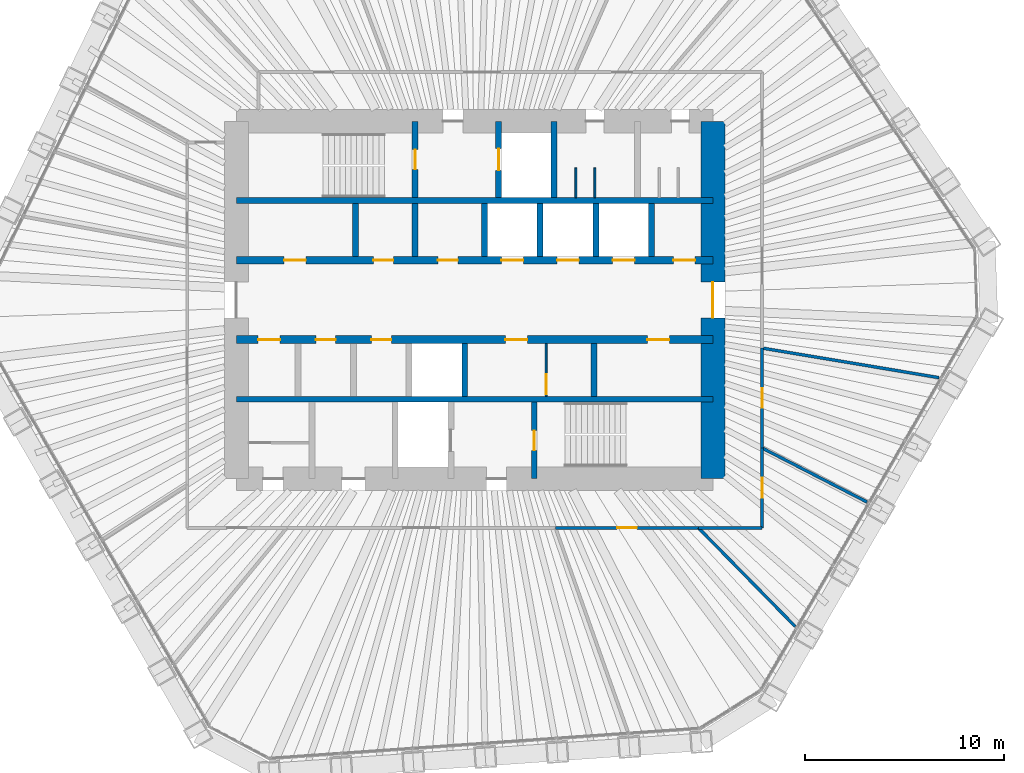
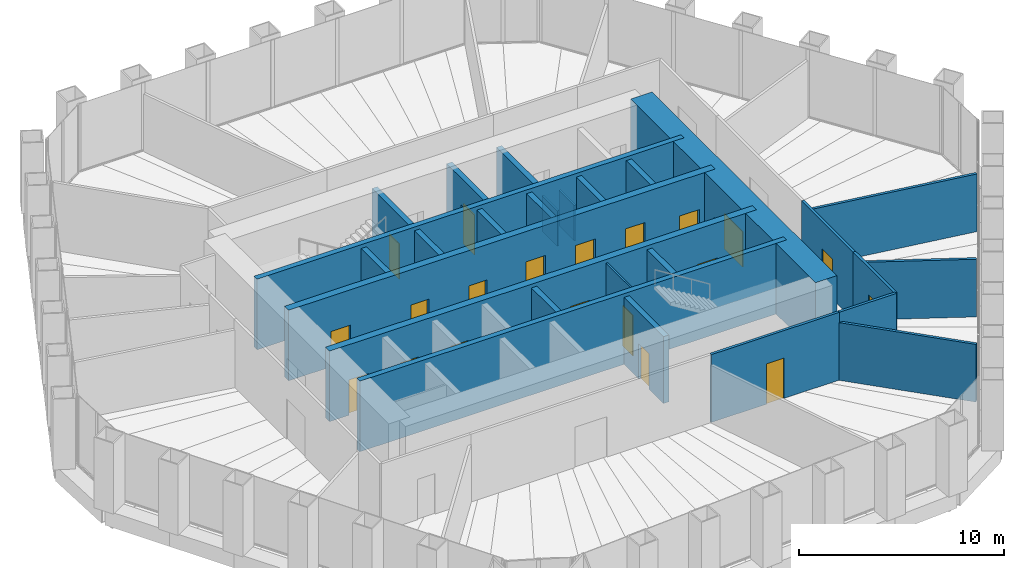
# One storey, part 11 of 13: 27 walls, 20 doors, 20 openings.
"""IFC4 building model written with IfcOpenShell, lengths in metres."""

import ifcopenshell
import ifcopenshell.guid

model = None  # the IFC model being written
_history = None  # IfcOwnerHistory: only IFC2X3 demands one
_inside = {}  # id of a spatial element -> (the spatial element, [elements in it])
_under = {}  # id of a project, library or spatial element -> (it, [spatial elements below it])
_declared = {}  # id of a project -> (the project, [libraries it declares])
_typed = {}  # id of a type object -> (the type object, [elements of that type])
_made_of = {}  # id of a material, layer set ... -> (it, [elements and type objects made of it])


def new_model(schema):
    """Start an empty IFC model of exactly this schema.

    Asked for "IFC4X3", IfcOpenShell would pick the latest addendum, in which some entities
    have other attributes; the version numbers below select the first issue.
    IFC2X3 requires an IfcOwnerHistory on every rooted entity: one is made here for all.
    """
    global model, _history
    if schema == "IFC4X3":
        model = ifcopenshell.file(schema_version=(4, 3, 0, 0))
    else:
        model = ifcopenshell.file(schema=schema)
    _inside.clear()
    _under.clear()
    _declared.clear()
    _typed.clear()
    _made_of.clear()
    _history = None
    if model.schema == "IFC2X3":
        org = make("IfcOrganization", Name="unknown")
        user = make(
            "IfcPersonAndOrganization",
            ThePerson=make("IfcPerson", FamilyName="unknown"),
            TheOrganization=org,
        )
        app = make(
            "IfcApplication",
            ApplicationDeveloper=org,
            Version="unknown",
            ApplicationFullName="unknown",
            ApplicationIdentifier="unknown",
        )
        _history = make(
            "IfcOwnerHistory",
            OwningUser=user,
            OwningApplication=app,
            ChangeAction="ADDED",
            CreationDate=0,
        )
    return model


def make(cls, **values):
    """One entity of the class cls with the attributes given. An attribute that is None is left unset."""
    return model.create_entity(
        cls, **{name: value for name, value in values.items() if value is not None}
    )


def rooted(cls, **values):
    """An entity with a GlobalId (a new one), such as an element, a storey or a relation."""
    return make(cls, GlobalId=ifcopenshell.guid.new(), OwnerHistory=_history, **values)


def si_unit(unit_type, name, prefix=None):
    """IfcSIUnit, for example si_unit("LENGTHUNIT", "METRE", prefix="MILLI")."""
    return make("IfcSIUnit", UnitType=unit_type, Prefix=prefix, Name=name)


def assignment(units):
    """IfcUnitAssignment: the units of a project."""
    return None if units is None else make("IfcUnitAssignment", Units=units)


def point(xyz):
    """IfcCartesianPoint."""
    return None if xyz is None else make("IfcCartesianPoint", Coordinates=xyz)


def direction(xyz):
    """IfcDirection."""
    return None if xyz is None else make("IfcDirection", DirectionRatios=xyz)


def frame(location, z_axis=None, x_axis=None):
    """IfcAxis2Placement3D, a coordinate frame: its origin and axes. An axis left out is left unset."""
    return make(
        "IfcAxis2Placement3D",
        Location=point(location),
        Axis=direction(z_axis),
        RefDirection=direction(x_axis),
    )


def frame_2d(location, x_axis=None):
    """IfcAxis2Placement2D, a coordinate frame in the plane: its origin and x axis."""
    return make(
        "IfcAxis2Placement2D", Location=point(location), RefDirection=direction(x_axis)
    )


def origin():
    """The frame at (0, 0, 0) with its axes left unset."""
    return frame((0.0, 0.0, 0.0))


def place(relative_to, where):
    """IfcLocalPlacement: puts the frame where relative to a parent placement (None: the world)."""
    return make(
        "IfcLocalPlacement", PlacementRelTo=relative_to, RelativePlacement=where
    )


def context(
    kind, dimensions, precision=None, world=None, true_north=None, identifier=None
):
    """IfcGeometricRepresentationContext, for example the 3D "Model" context."""
    return make(
        "IfcGeometricRepresentationContext",
        ContextIdentifier=identifier,
        ContextType=kind,
        CoordinateSpaceDimension=dimensions,
        Precision=precision,
        WorldCoordinateSystem=world,
        TrueNorth=true_north,
    )


def subcontext(parent, identifier, kind, view, scale=None):
    """IfcGeometricRepresentationSubContext, for example "Body" below "Model"."""
    return make(
        "IfcGeometricRepresentationSubContext",
        ContextIdentifier=identifier,
        ContextType=kind,
        ParentContext=parent,
        TargetScale=scale,
        TargetView=view,
    )


def project(units=None, contexts=None):
    """IfcProject with its units and contexts."""
    return rooted(
        "IfcProject",
        Name="project",
        RepresentationContexts=contexts,
        UnitsInContext=assignment(units),
    )


def spatial(cls, under=None, at=None, **own):
    """A site, building, storey or space (cls), placed at a placement, below another one or the project."""
    s = rooted(cls, ObjectPlacement=at, **own)
    if under is not None:
        _under.setdefault(under.id(), (under, []))[1].append(s)
    return s


def profile(cls, at=None, kind="AREA", **sizes):
    """A parametric profile (cls). Its sizes go by their IFC names, for example OverallWidth=200.0."""
    return make(cls, ProfileType=kind, Position=at, **sizes)


def rectangle(**sizes):
    """IfcRectangleProfileDef."""
    return profile("IfcRectangleProfileDef", **sizes)


def extrude(swept, where, along, depth):
    """IfcExtrudedAreaSolid: the profile swept, set in the frame where, extruded along a direction by depth."""
    return make(
        "IfcExtrudedAreaSolid",
        SweptArea=swept,
        Position=where,
        ExtrudedDirection=direction(along),
        Depth=depth,
    )


def shape(context_of_items, identifier, shape_type, items):
    """IfcShapeRepresentation: the items that make up one representation, for example the "Body"."""
    return make(
        "IfcShapeRepresentation",
        ContextOfItems=context_of_items,
        RepresentationIdentifier=identifier,
        RepresentationType=shape_type,
        Items=items,
    )


def material(Name=None, Category=None):
    """IfcMaterial."""
    return make("IfcMaterial", Name=Name, Category=Category)


def layer(
    of_material, thickness, ventilated=None, Name=None, Category=None, Priority=None
):
    """IfcMaterialLayer: one layer of a wall or slab, of a material (None: an air gap)."""
    return make(
        "IfcMaterialLayer",
        Material=of_material,
        LayerThickness=thickness,
        IsVentilated=ventilated,
        Name=Name,
        Category=Category,
        Priority=Priority,
    )


def layer_set(layers, Name=None):
    """IfcMaterialLayerSet."""
    return make("IfcMaterialLayerSet", MaterialLayers=layers, LayerSetName=Name)


def made_of(thing, what):
    """Note that an element or type object is made of a material, layer set ...; save() writes the relation."""
    if what is not None:
        _made_of.setdefault(what.id(), (what, []))[1].append(thing)
    return thing


def type_object(cls, material=None, **own):
    """A type object (cls), such as IfcWallType, which elements share."""
    return made_of(rooted(cls, **own), material)


def element(
    cls,
    number,
    at=None,
    inside=None,
    cuts=None,
    type_object=None,
    material=None,
    context=None,
    identifier="Body",
    shape_type=None,
    held_by="IfcProductDefinitionShape",
    body=None,
    shapes=None,
    **own,
):
    """One element of the class cls, such as IfcWall. Its Tag is "e" and its number.

    at: its placement. inside: the storey or other place that contains it. cuts: it is an
    opening in that element (IfcRelVoidsElement). A single representation is given by context,
    identifier, shape_type and body (its items); several are given by shapes. held_by: the class
    of the entity that holds the representations. save() writes the other relations.
    """
    e = rooted(cls, Tag="e%d" % number, ObjectPlacement=at, **own)
    if body is not None:
        shapes = [shape(context, identifier, shape_type, body)]
    if shapes is not None:
        e.Representation = make(held_by, Representations=shapes)
    if inside is not None:
        _inside.setdefault(inside.id(), (inside, []))[1].append(e)
    if cuts is not None:
        rooted(
            "IfcRelVoidsElement", RelatingBuildingElement=cuts, RelatedOpeningElement=e
        )
    if type_object is not None:
        _typed.setdefault(type_object.id(), (type_object, []))[1].append(e)
    return made_of(e, material)


def fill(opening, filler):
    """IfcRelFillsElement: the door or window that sits in an opening."""
    return rooted(
        "IfcRelFillsElement",
        RelatingOpeningElement=opening,
        RelatedBuildingElement=filler,
    )


def aggregate(whole, parts):
    """IfcRelAggregates: a whole, such as a stair, and the parts it consists of."""
    return rooted("IfcRelAggregates", RelatingObject=whole, RelatedObjects=parts)


def save(model, path):
    """Write the relations noted so far, then the file.

    IfcRelAggregates (storeys below a building ...), IfcRelContainedInSpatialStructure (elements
    in a storey), IfcRelDefinesByType, IfcRelAssociatesMaterial and IfcRelDeclares: one each for
    every whole, place, type object, material and project.
    """
    for whole, parts in _under.values():
        aggregate(whole, parts)
    for where, things in _inside.values():
        rooted(
            "IfcRelContainedInSpatialStructure",
            RelatedElements=things,
            RelatingStructure=where,
        )
    for kind, things in _typed.values():
        rooted("IfcRelDefinesByType", RelatedObjects=things, RelatingType=kind)
    for what, things in _made_of.values():
        rooted("IfcRelAssociatesMaterial", RelatedObjects=things, RelatingMaterial=what)
    for by, libraries in _declared.values():
        rooted("IfcRelDeclares", RelatingContext=by, RelatedDefinitions=libraries)
    model.write(path)


model = new_model("IFC4")

# Units and contexts
model_context = context("Model", 3, precision=1e-05, world=origin(), true_north=direction((0.0, 1.0)))
body_context = subcontext(model_context, "Body", "Model", "MODEL_VIEW")
ifc_project = project(units=[si_unit("LENGTHUNIT", "METRE"), si_unit("AREAUNIT", "SQUARE_METRE"), si_unit("VOLUMEUNIT", "CUBIC_METRE"), si_unit("PLANEANGLEUNIT", "RADIAN"), si_unit("MASSUNIT", "GRAM", prefix="KILO")], contexts=[model_context])

# Site, building, storey
site_placement = place(None, origin())
site = spatial("IfcSite", under=ifc_project, at=site_placement, CompositionType="ELEMENT")
building_placement = place(site_placement, origin())
building = spatial("IfcBuilding", under=site, at=building_placement, Name="Qingtian Harvest Tower", CompositionType="ELEMENT")
storey_placement = place(building_placement, frame((0.0, 0.0, 188.800048828125)))
storey = spatial("IfcBuildingStorey", under=building, at=storey_placement, Name="L40", CompositionType="ELEMENT", Elevation=188.800048828125)

# Walls
ifc_material_1 = material(Name="Concrete fc' 70 MPa", Category="concrete")
ifc_layer_1 = layer(ifc_material_1, 0.300048828125)
ifc_layer_set_1 = layer_set([ifc_layer_1], Name="Core inner wall RC5 300")
wall_type_1 = type_object("IfcWallType", Name="Core inner wall RC5 300", PredefinedType="SHEAR", material=ifc_layer_set_1)
for number, where, z_axis, x_axis, name in (
    (1, (-12.0, 5.0, 0.0), (0.0, 0.0, 1.0), (1.0, 0.0, 0.0), "Core wall IN5 L40"),
    (2, (-12.0, -5.0, 0.0), (0.0, 0.0, 1.0), (1.0, 0.0, 0.0), "Core wall IS5 L40"),
):
    element("IfcWall", number, at=place(storey_placement, frame(where, z_axis=z_axis, x_axis=x_axis)), inside=storey, type_object=wall_type_1, Name=name, PredefinedType="SHEAR", context=body_context, shape_type="SweptSolid", body=[
        extrude(rectangle(XDim=24.0, YDim=0.300048828125, at=frame_2d((12.0, 0.0))), origin(), (0.0, 0.0, 1.0), 4.199951171875),
    ])

# Wall, openings, doors
ifc_material_2 = material(Name="Concrete fc' 70 MPa", Category="concrete")
ifc_layer_2 = layer(ifc_material_2, 0.39990234375)
ifc_layer_set_2 = layer_set([ifc_layer_2], Name="Core inner web RC6 400")
wall_type_2 = type_object("IfcWallType", Name="Core inner web RC6 400", PredefinedType="SHEAR", material=ifc_layer_set_2)
wall_1_placement = place(storey_placement, frame((-12.0, 2.0, 0.0), z_axis=(0.0, 0.0, 1.0), x_axis=(1.0, 0.0, 0.0)))
wall_1 = element("IfcWall", 3, at=wall_1_placement, inside=storey, type_object=wall_type_2, Name="Core wall IN2 L40", PredefinedType="SHEAR", context=body_context, shape_type="SweptSolid", body=[
    extrude(rectangle(XDim=24.0, YDim=0.39990234375, at=frame_2d((12.0, 0.0))), origin(), (0.0, 0.0, 1.0), 4.199951171875),
])
opening_1_placement = place(wall_1_placement, frame((2.39990234375, 0.0, 0.0)))
opening_1 = element("IfcOpeningElement", 4, at=opening_1_placement, cuts=wall_1, Name="Opening FD4", PredefinedType="OPENING", context=body_context, shape_type="SweptSolid", body=[
    extrude(rectangle(XDim=1.10009765625, YDim=2.10009765625, at=frame_2d((0.550048828125, 1.050048828125))), frame((0.0, 0.2099609375, 0.0), z_axis=(0.0, -1.0, 0.0), x_axis=(1.0, 0.0, 0.0)), (0.0, 0.0, 1.0), 0.419921875),
])
opening_2_placement = place(wall_1_placement, frame((22.0, 0.0, 0.0)))
opening_2 = element("IfcOpeningElement", 5, at=opening_2_placement, cuts=wall_1, Name="Opening FD4", PredefinedType="OPENING", context=body_context, shape_type="SweptSolid", body=[
    extrude(rectangle(XDim=1.10009765625, YDim=2.10009765625, at=frame_2d((0.550048828125, 1.050048828125))), frame((0.0, 0.2099609375, 0.0), z_axis=(0.0, -1.0, 0.0), x_axis=(1.0, 0.0, 0.0)), (0.0, 0.0, 1.0), 0.419921875),
])
opening_3_placement = place(wall_1_placement, frame((10.14990234375, 0.0, 0.0)))
opening_3 = element("IfcOpeningElement", 6, at=opening_3_placement, cuts=wall_1, Name="Opening FD1", PredefinedType="OPENING", context=body_context, shape_type="SweptSolid", body=[
    extrude(rectangle(XDim=1.0, YDim=2.10009765625, at=frame_2d((0.5, 1.050048828125))), frame((0.0, 0.2099609375, 0.0), z_axis=(0.0, -1.0, 0.0), x_axis=(1.0, 0.0, 0.0)), (0.0, 0.0, 1.0), 0.419921875),
])
opening_4_placement = place(wall_1_placement, frame((6.89990234375, 0.0, 0.0)))
opening_4 = element("IfcOpeningElement", 7, at=opening_4_placement, cuts=wall_1, Name="Opening FD1", PredefinedType="OPENING", context=body_context, shape_type="SweptSolid", body=[
    extrude(rectangle(XDim=1.0, YDim=2.10009765625, at=frame_2d((0.5, 1.050048828125))), frame((0.0, 0.2099609375, 0.0), z_axis=(0.0, -1.0, 0.0), x_axis=(1.0, 0.0, 0.0)), (0.0, 0.0, 1.0), 0.419921875),
])
opening_5_placement = place(wall_1_placement, frame((13.35009765625, 0.0, 0.0)))
opening_5 = element("IfcOpeningElement", 8, at=opening_5_placement, cuts=wall_1, Name="Opening LD1", PredefinedType="OPENING", context=body_context, shape_type="SweptSolid", body=[
    extrude(rectangle(XDim=1.10009765625, YDim=2.39990234375, at=frame_2d((0.550048828125, 1.199951171875))), frame((0.0, 0.2099609375, 0.0), z_axis=(0.0, -1.0, 0.0), x_axis=(1.0, 0.0, 0.0)), (0.0, 0.0, 1.0), 0.419921875),
])
opening_6_placement = place(wall_1_placement, frame((16.14990234375, 0.0, 0.0)))
opening_6 = element("IfcOpeningElement", 9, at=opening_6_placement, cuts=wall_1, Name="Opening LD1", PredefinedType="OPENING", context=body_context, shape_type="SweptSolid", body=[
    extrude(rectangle(XDim=1.10009765625, YDim=2.39990234375, at=frame_2d((0.550048828125, 1.199951171875))), frame((0.0, 0.2099609375, 0.0), z_axis=(0.0, -1.0, 0.0), x_axis=(1.0, 0.0, 0.0)), (0.0, 0.0, 1.0), 0.419921875),
])
opening_7_placement = place(wall_1_placement, frame((18.949951171875, 0.0, 0.0)))
opening_7 = element("IfcOpeningElement", 10, at=opening_7_placement, cuts=wall_1, Name="Opening LD1", PredefinedType="OPENING", context=body_context, shape_type="SweptSolid", body=[
    extrude(rectangle(XDim=1.10009765625, YDim=2.39990234375, at=frame_2d((0.550048828125, 1.199951171875))), frame((0.0, 0.2099609375, 0.0), z_axis=(0.0, -1.0, 0.0), x_axis=(1.0, 0.0, 0.0)), (0.0, 0.0, 1.0), 0.419921875),
])
ifc_material_3 = material(Name="Steel-faced door leaf", Category="steel")
door_type_1 = type_object("IfcDoorType", Name="Fire door FD1 single 1 HR", OperationType="SINGLE_SWING_LEFT", PredefinedType="DOOR", material=ifc_material_3)
door_1_placement = place(opening_3_placement, origin())
door_1 = element("IfcDoor", 11, at=door_1_placement, inside=storey, type_object=door_type_1, Name="STA door L40", OperationType="SINGLE_SWING_LEFT", OverallHeight=2.10009765625, OverallWidth=1.0, PredefinedType="DOOR", context=body_context, shape_type="SweptSolid", body=[
    extrude(rectangle(XDim=1.0, YDim=2.10009765625, at=frame_2d((0.5, 1.050048828125))), frame((0.0, 0.02490234375, 0.0), z_axis=(0.0, -1.0, 0.0), x_axis=(1.0, 0.0, 0.0)), (0.0, 0.0, 1.0), 0.050048828125),
])
fill(opening_3, door_1)
door_2_placement = place(opening_4_placement, origin())
door_2 = element("IfcDoor", 12, at=door_2_placement, inside=storey, type_object=door_type_1, Name="Linen store door L40", OperationType="SINGLE_SWING_LEFT", OverallHeight=2.10009765625, OverallWidth=1.0, PredefinedType="DOOR", context=body_context, shape_type="SweptSolid", body=[
    extrude(rectangle(XDim=1.0, YDim=2.10009765625, at=frame_2d((0.5, 1.050048828125))), frame((0.0, 0.02490234375, 0.0), z_axis=(0.0, -1.0, 0.0), x_axis=(1.0, 0.0, 0.0)), (0.0, 0.0, 1.0), 0.050048828125),
])
fill(opening_4, door_2)
ifc_material_4 = material(Name="Steel-faced door leaf", Category="steel")
door_type_2 = type_object("IfcDoorType", Name="Fire door FD4 single 2 HR", OperationType="SINGLE_SWING_LEFT", PredefinedType="DOOR", material=ifc_material_4)
door_3_placement = place(opening_1_placement, origin())
door_3 = element("IfcDoor", 13, at=door_3_placement, inside=storey, type_object=door_type_2, Name="RA door L40", OperationType="SINGLE_SWING_LEFT", OverallHeight=2.10009765625, OverallWidth=1.10009765625, PredefinedType="DOOR", context=body_context, shape_type="SweptSolid", body=[
    extrude(rectangle(XDim=1.10009765625, YDim=2.10009765625, at=frame_2d((0.550048828125, 1.050048828125))), frame((0.0, 0.02490234375, 0.0), z_axis=(0.0, -1.0, 0.0), x_axis=(1.0, 0.0, 0.0)), (0.0, 0.0, 1.0), 0.050048828125),
])
fill(opening_1, door_3)
door_4_placement = place(opening_2_placement, origin())
door_4 = element("IfcDoor", 14, at=door_4_placement, inside=storey, type_object=door_type_2, Name="AHU door L40", OperationType="SINGLE_SWING_RIGHT", OverallHeight=2.10009765625, OverallWidth=1.10009765625, PredefinedType="DOOR", context=body_context, shape_type="SweptSolid", body=[
    extrude(rectangle(XDim=1.10009765625, YDim=2.10009765625, at=frame_2d((0.550048828125, 1.050048828125))), frame((0.0, 0.02490234375, 0.0), z_axis=(0.0, -1.0, 0.0), x_axis=(1.0, 0.0, 0.0)), (0.0, 0.0, 1.0), 0.050048828125),
])
fill(opening_2, door_4)
ifc_material_5 = material(Name="Stainless steel lift landing door", Category="steel")
door_type_3 = type_object("IfcDoorType", Name="Lift landing door LD1 1 HR", OperationType="DOUBLE_DOOR_SLIDING", PredefinedType="DOOR", material=ifc_material_5)
door_5_placement = place(opening_5_placement, origin())
door_5 = element("IfcDoor", 15, at=door_5_placement, inside=storey, type_object=door_type_3, Name="PLC1 landing door L40", OperationType="DOUBLE_DOOR_SLIDING", OverallHeight=2.39990234375, OverallWidth=1.10009765625, PredefinedType="DOOR", context=body_context, shape_type="SweptSolid", body=[
    extrude(rectangle(XDim=1.10009765625, YDim=2.39990234375, at=frame_2d((0.550048828125, 1.199951171875))), frame((0.0, 0.02490234375, 0.0), z_axis=(0.0, -1.0, 0.0), x_axis=(1.0, 0.0, 0.0)), (0.0, 0.0, 1.0), 0.050048828125),
])
fill(opening_5, door_5)
door_6_placement = place(opening_6_placement, origin())
door_6 = element("IfcDoor", 16, at=door_6_placement, inside=storey, type_object=door_type_3, Name="PLC2 landing door L40", OperationType="DOUBLE_DOOR_SLIDING", OverallHeight=2.39990234375, OverallWidth=1.10009765625, PredefinedType="DOOR", context=body_context, shape_type="SweptSolid", body=[
    extrude(rectangle(XDim=1.10009765625, YDim=2.39990234375, at=frame_2d((0.550048828125, 1.199951171875))), frame((0.0, 0.02490234375, 0.0), z_axis=(0.0, -1.0, 0.0), x_axis=(1.0, 0.0, 0.0)), (0.0, 0.0, 1.0), 0.050048828125),
])
fill(opening_6, door_6)
door_7_placement = place(opening_7_placement, origin())
door_7 = element("IfcDoor", 17, at=door_7_placement, inside=storey, type_object=door_type_3, Name="PLC3 landing door L40", OperationType="DOUBLE_DOOR_SLIDING", OverallHeight=2.39990234375, OverallWidth=1.10009765625, PredefinedType="DOOR", context=body_context, shape_type="SweptSolid", body=[
    extrude(rectangle(XDim=1.10009765625, YDim=2.39990234375, at=frame_2d((0.550048828125, 1.199951171875))), frame((0.0, 0.02490234375, 0.0), z_axis=(0.0, -1.0, 0.0), x_axis=(1.0, 0.0, 0.0)), (0.0, 0.0, 1.0), 0.050048828125),
])
fill(opening_7, door_7)

wall_2_placement = place(storey_placement, frame((-12.0, -2.0, 0.0), z_axis=(0.0, 0.0, 1.0), x_axis=(1.0, 0.0, 0.0)))
wall_2 = element("IfcWall", 18, at=wall_2_placement, inside=storey, type_object=wall_type_2, Name="Core wall IS2 L40", PredefinedType="SHEAR", context=body_context, shape_type="SweptSolid", body=[
    extrude(rectangle(XDim=24.0, YDim=0.39990234375, at=frame_2d((12.0, 0.0))), origin(), (0.0, 0.0, 1.0), 4.199951171875),
])
opening_8_placement = place(wall_2_placement, frame((1.10009765625, 0.0, 0.0)))
opening_8 = element("IfcOpeningElement", 19, at=opening_8_placement, cuts=wall_2, Name="Opening FD4", PredefinedType="OPENING", context=body_context, shape_type="SweptSolid", body=[
    extrude(rectangle(XDim=1.10009765625, YDim=2.10009765625, at=frame_2d((0.550048828125, 1.050048828125))), frame((0.0, 0.2099609375, 0.0), z_axis=(0.0, -1.0, 0.0), x_axis=(1.0, 0.0, 0.0)), (0.0, 0.0, 1.0), 0.419921875),
])
opening_9_placement = place(wall_2_placement, frame((13.550048828125, 0.0, 0.0)))
opening_9 = element("IfcOpeningElement", 20, at=opening_9_placement, cuts=wall_2, Name="Opening FD4", PredefinedType="OPENING", context=body_context, shape_type="SweptSolid", body=[
    extrude(rectangle(XDim=1.10009765625, YDim=2.10009765625, at=frame_2d((0.550048828125, 1.050048828125))), frame((0.0, 0.2099609375, 0.0), z_axis=(0.0, -1.0, 0.0), x_axis=(1.0, 0.0, 0.0)), (0.0, 0.0, 1.0), 0.419921875),
])
opening_10_placement = place(wall_2_placement, frame((20.699951171875, 0.0, 0.0)))
opening_10 = element("IfcOpeningElement", 21, at=opening_10_placement, cuts=wall_2, Name="Opening FD4", PredefinedType="OPENING", context=body_context, shape_type="SweptSolid", body=[
    extrude(rectangle(XDim=1.10009765625, YDim=2.10009765625, at=frame_2d((0.550048828125, 1.050048828125))), frame((0.0, 0.2099609375, 0.0), z_axis=(0.0, -1.0, 0.0), x_axis=(1.0, 0.0, 0.0)), (0.0, 0.0, 1.0), 0.419921875),
])
opening_11_placement = place(wall_2_placement, frame((4.0, 0.0, 0.0)))
opening_11 = element("IfcOpeningElement", 22, at=opening_11_placement, cuts=wall_2, Name="Opening FD1", PredefinedType="OPENING", context=body_context, shape_type="SweptSolid", body=[
    extrude(rectangle(XDim=1.0, YDim=2.10009765625, at=frame_2d((0.5, 1.050048828125))), frame((0.0, 0.2099609375, 0.0), z_axis=(0.0, -1.0, 0.0), x_axis=(1.0, 0.0, 0.0)), (0.0, 0.0, 1.0), 0.419921875),
])
opening_12_placement = place(wall_2_placement, frame((6.800048828125, 0.0, 0.0)))
opening_12 = element("IfcOpeningElement", 23, at=opening_12_placement, cuts=wall_2, Name="Opening FD1", PredefinedType="OPENING", context=body_context, shape_type="SweptSolid", body=[
    extrude(rectangle(XDim=1.0, YDim=2.10009765625, at=frame_2d((0.5, 1.050048828125))), frame((0.0, 0.2099609375, 0.0), z_axis=(0.0, -1.0, 0.0), x_axis=(1.0, 0.0, 0.0)), (0.0, 0.0, 1.0), 0.419921875),
])
door_8_placement = place(opening_11_placement, origin())
door_8 = element("IfcDoor", 24, at=door_8_placement, inside=storey, type_object=door_type_1, Name="Staff WC door L40", OperationType="SINGLE_SWING_RIGHT", OverallHeight=2.10009765625, OverallWidth=1.0, PredefinedType="DOOR", context=body_context, shape_type="SweptSolid", body=[
    extrude(rectangle(XDim=1.0, YDim=2.10009765625, at=frame_2d((0.5, 1.050048828125))), frame((0.0, 0.02490234375, 0.0), z_axis=(0.0, -1.0, 0.0), x_axis=(1.0, 0.0, 0.0)), (0.0, 0.0, 1.0), 0.050048828125),
])
fill(opening_11, door_8)
door_9_placement = place(opening_12_placement, origin())
door_9 = element("IfcDoor", 25, at=door_9_placement, inside=storey, type_object=door_type_1, Name="Tea point door L40", OperationType="SINGLE_SWING_RIGHT", OverallHeight=2.10009765625, OverallWidth=1.0, PredefinedType="DOOR", context=body_context, shape_type="SweptSolid", body=[
    extrude(rectangle(XDim=1.0, YDim=2.10009765625, at=frame_2d((0.5, 1.050048828125))), frame((0.0, 0.02490234375, 0.0), z_axis=(0.0, -1.0, 0.0), x_axis=(1.0, 0.0, 0.0)), (0.0, 0.0, 1.0), 0.050048828125),
])
fill(opening_12, door_9)
door_10_placement = place(opening_8_placement, origin())
door_10 = element("IfcDoor", 26, at=door_10_placement, inside=storey, type_object=door_type_2, Name="RB door L40", OperationType="SINGLE_SWING_RIGHT", OverallHeight=2.10009765625, OverallWidth=1.10009765625, PredefinedType="DOOR", context=body_context, shape_type="SweptSolid", body=[
    extrude(rectangle(XDim=1.10009765625, YDim=2.10009765625, at=frame_2d((0.550048828125, 1.050048828125))), frame((0.0, 0.02490234375, 0.0), z_axis=(0.0, -1.0, 0.0), x_axis=(1.0, 0.0, 0.0)), (0.0, 0.0, 1.0), 0.050048828125),
])
fill(opening_8, door_10)
door_11_placement = place(opening_9_placement, origin())
door_11 = element("IfcDoor", 27, at=door_11_placement, inside=storey, type_object=door_type_2, Name="ELEC door L40", OperationType="SINGLE_SWING_LEFT", OverallHeight=2.10009765625, OverallWidth=1.10009765625, PredefinedType="DOOR", context=body_context, shape_type="SweptSolid", body=[
    extrude(rectangle(XDim=1.10009765625, YDim=2.10009765625, at=frame_2d((0.550048828125, 1.050048828125))), frame((0.0, 0.02490234375, 0.0), z_axis=(0.0, -1.0, 0.0), x_axis=(1.0, 0.0, 0.0)), (0.0, 0.0, 1.0), 0.050048828125),
])
fill(opening_9, door_11)
door_12_placement = place(opening_10_placement, origin())
door_12 = element("IfcDoor", 28, at=door_12_placement, inside=storey, type_object=door_type_2, Name="DUCT door L40", OperationType="SINGLE_SWING_LEFT", OverallHeight=2.10009765625, OverallWidth=1.10009765625, PredefinedType="DOOR", context=body_context, shape_type="SweptSolid", body=[
    extrude(rectangle(XDim=1.10009765625, YDim=2.10009765625, at=frame_2d((0.550048828125, 1.050048828125))), frame((0.0, 0.02490234375, 0.0), z_axis=(0.0, -1.0, 0.0), x_axis=(1.0, 0.0, 0.0)), (0.0, 0.0, 1.0), 0.050048828125),
])
fill(opening_10, door_12)

# Wall, opening, door
ifc_material_6 = material(Name="Precast concrete shaft panel", Category="concrete")
ifc_layer_3 = layer(ifc_material_6, 0.300048828125)
ifc_layer_set_3 = layer_set([ifc_layer_3], Name="Core shaft partition SW1 300")
wall_type_3 = type_object("IfcWallType", Name="Core shaft partition SW1 300", PredefinedType="PARTITIONING", material=ifc_layer_set_3)
wall_3_placement = place(storey_placement, frame((-3.0, 5.14990234375, 0.0), z_axis=(0.0, 0.0, 1.0), x_axis=(0.0, 1.0, 0.0)))
wall_3 = element("IfcWall", 29, at=wall_3_placement, inside=storey, type_object=wall_type_3, Name="Core shaft partition XN1 L40", PredefinedType="PARTITIONING", context=body_context, shape_type="SweptSolid", body=[
    extrude(rectangle(XDim=3.85009765625, YDim=0.300048828125, at=frame_2d((1.925048828125, 0.0))), origin(), (0.0, 0.0, 1.0), 3.97998046875),
])
opening_13_placement = place(wall_3_placement, frame((1.425048828125, 0.0, 0.0)))
opening_13 = element("IfcOpeningElement", 30, at=opening_13_placement, cuts=wall_3, Name="Opening FD1", PredefinedType="OPENING", context=body_context, shape_type="SweptSolid", body=[
    extrude(rectangle(XDim=1.0, YDim=2.10009765625, at=frame_2d((0.5, 1.050048828125))), frame((0.0, 0.159912109375, 0.0), z_axis=(0.0, -1.0, 0.0), x_axis=(1.0, 0.0, 0.0)), (0.0, 0.0, 1.0), 0.320068359375),
])
door_13_placement = place(opening_13_placement, origin())
door_13 = element("IfcDoor", 31, at=door_13_placement, inside=storey, type_object=door_type_1, Name="S1 door L40", OperationType="SINGLE_SWING_LEFT", OverallHeight=2.10009765625, OverallWidth=1.0, PredefinedType="DOOR", context=body_context, shape_type="SweptSolid", body=[
    extrude(rectangle(XDim=1.0, YDim=2.10009765625, at=frame_2d((0.5, 1.050048828125))), frame((0.0, 0.02490234375, 0.0), z_axis=(0.0, -1.0, 0.0), x_axis=(1.0, 0.0, 0.0)), (0.0, 0.0, 1.0), 0.050048828125),
])
fill(opening_13, door_13)

wall_4_placement = place(storey_placement, frame((1.199951171875, 5.14990234375, 0.0), z_axis=(0.0, 0.0, 1.0), x_axis=(0.0, 1.0, 0.0)))
wall_4 = element("IfcWall", 32, at=wall_4_placement, inside=storey, type_object=wall_type_3, Name="Core shaft partition XN2 L40", PredefinedType="PARTITIONING", context=body_context, shape_type="SweptSolid", body=[
    extrude(rectangle(XDim=3.85009765625, YDim=0.300048828125, at=frame_2d((1.925048828125, 0.0))), origin(), (0.0, 0.0, 1.0), 3.97998046875),
])
opening_14_placement = place(wall_4_placement, frame((1.375, 0.0, 0.0)))
opening_14 = element("IfcOpeningElement", 33, at=opening_14_placement, cuts=wall_4, Name="Opening LD1", PredefinedType="OPENING", context=body_context, shape_type="SweptSolid", body=[
    extrude(rectangle(XDim=1.10009765625, YDim=2.39990234375, at=frame_2d((0.550048828125, 1.199951171875))), frame((0.0, 0.159912109375, 0.0), z_axis=(0.0, -1.0, 0.0), x_axis=(1.0, 0.0, 0.0)), (0.0, 0.0, 1.0), 0.320068359375),
])
door_14_placement = place(opening_14_placement, origin())
door_14 = element("IfcDoor", 34, at=door_14_placement, inside=storey, type_object=door_type_3, Name="FL1 landing door L40", OperationType="DOUBLE_DOOR_SLIDING", OverallHeight=2.39990234375, OverallWidth=1.10009765625, PredefinedType="DOOR", context=body_context, shape_type="SweptSolid", body=[
    extrude(rectangle(XDim=1.10009765625, YDim=2.39990234375, at=frame_2d((0.550048828125, 1.199951171875))), frame((0.0, 0.02490234375, 0.0), z_axis=(0.0, -1.0, 0.0), x_axis=(1.0, 0.0, 0.0)), (0.0, 0.0, 1.0), 0.050048828125),
])
fill(opening_14, door_14)

# Walls
wall_5_placement = place(storey_placement, frame((4.0, 5.14990234375, 0.0), z_axis=(0.0, 0.0, 1.0), x_axis=(0.0, 1.0, 0.0)))
element("IfcWall", 35, at=wall_5_placement, inside=storey, type_object=wall_type_3, Name="Core shaft partition XN3 L40", PredefinedType="PARTITIONING", context=body_context, shape_type="SweptSolid", body=[
    extrude(rectangle(XDim=3.85009765625, YDim=0.300048828125, at=frame_2d((1.925048828125, 0.0))), origin(), (0.0, 0.0, 1.0), 3.97998046875),
])
for number, where, z_axis, x_axis, name in (
    (36, (-6.0, 2.199951171875, 0.0), (0.0, 0.0, 1.0), (0.0, 1.0, 0.0), "Core shaft partition XA1 L40"),
    (37, (-3.0, 2.199951171875, 0.0), (0.0, 0.0, 1.0), (0.0, 1.0, 0.0), "Core shaft partition XA2 L40"),
    (38, (0.5, 2.199951171875, 0.0), (0.0, 0.0, 1.0), (0.0, 1.0, 0.0), "Core shaft partition XA3 L40"),
    (39, (3.300048828125, 2.199951171875, 0.0), (0.0, 0.0, 1.0), (0.0, 1.0, 0.0), "Core shaft partition XA4 L40"),
    (40, (6.10009765625, 2.199951171875, 0.0), (0.0, 0.0, 1.0), (0.0, 1.0, 0.0), "Core shaft partition XA5 L40"),
    (41, (8.89990234375, 2.199951171875, 0.0), (0.0, 0.0, 1.0), (0.0, 1.0, 0.0), "Core shaft partition XA6 L40"),
    (42, (-0.5, -4.85009765625, 0.0), (0.0, 0.0, 1.0), (0.0, 1.0, 0.0), "Core shaft partition XB4 L40"),
    (43, (6.0, -4.85009765625, 0.0), (0.0, 0.0, 1.0), (0.0, 1.0, 0.0), "Core shaft partition XB5 L40"),
):
    element("IfcWall", number, at=place(storey_placement, frame(where, z_axis=z_axis, x_axis=x_axis)), inside=storey, type_object=wall_type_3, Name=name, PredefinedType="PARTITIONING", context=body_context, shape_type="SweptSolid", body=[
        extrude(rectangle(XDim=2.650146484375, YDim=0.300048828125, at=frame_2d((1.3251953125, 0.0))), origin(), (0.0, 0.0, 1.0), 3.97998046875),
    ])

# Wall, opening, door
wall_6_placement = place(storey_placement, frame((3.0, -9.0, 0.0), z_axis=(0.0, 0.0, 1.0), x_axis=(0.0, 1.0, 0.0)))
wall_6 = element("IfcWall", 44, at=wall_6_placement, inside=storey, type_object=wall_type_3, Name="Core shaft partition XS4 L40", PredefinedType="PARTITIONING", context=body_context, shape_type="SweptSolid", body=[
    extrude(rectangle(XDim=3.85009765625, YDim=0.300048828125, at=frame_2d((1.925048828125, 0.0))), origin(), (0.0, 0.0, 1.0), 3.97998046875),
])
opening_15_placement = place(wall_6_placement, frame((1.425048828125, 0.0, 0.0)))
opening_15 = element("IfcOpeningElement", 45, at=opening_15_placement, cuts=wall_6, Name="Opening FD1", PredefinedType="OPENING", context=body_context, shape_type="SweptSolid", body=[
    extrude(rectangle(XDim=1.0, YDim=2.10009765625, at=frame_2d((0.5, 1.050048828125))), frame((0.0, 0.159912109375, 0.0), z_axis=(0.0, -1.0, 0.0), x_axis=(1.0, 0.0, 0.0)), (0.0, 0.0, 1.0), 0.320068359375),
])
door_15_placement = place(opening_15_placement, origin())
door_15 = element("IfcDoor", 46, at=door_15_placement, inside=storey, type_object=door_type_1, Name="S2 door L40", OperationType="SINGLE_SWING_LEFT", OverallHeight=2.10009765625, OverallWidth=1.0, PredefinedType="DOOR", context=body_context, shape_type="SweptSolid", body=[
    extrude(rectangle(XDim=1.0, YDim=2.10009765625, at=frame_2d((0.5, 1.050048828125))), frame((0.0, 0.02490234375, 0.0), z_axis=(0.0, -1.0, 0.0), x_axis=(1.0, 0.0, 0.0)), (0.0, 0.0, 1.0), 0.050048828125),
])
fill(opening_15, door_15)

ifc_material_7 = material(Name="Concrete fc' 70 MPa", Category="concrete")
ifc_layer_4 = layer(ifc_material_7, 1.199951171875)
ifc_layer_set_4 = layer_set([ifc_layer_4], Name="Core wall RC2 1200")
wall_type_4 = type_object("IfcWallType", Name="Core wall RC2 1200", PredefinedType="SHEAR", material=ifc_layer_set_4)
wall_7_placement = place(storey_placement, frame((12.0, -9.0, 0.0), z_axis=(0.0, 0.0, 1.0), x_axis=(0.0, 1.0, 0.0)))
wall_7 = element("IfcWall", 47, at=wall_7_placement, inside=storey, type_object=wall_type_4, Name="Core wall CE L40", PredefinedType="SHEAR", context=body_context, shape_type="SweptSolid", body=[
    extrude(rectangle(XDim=18.0, YDim=1.199951171875, at=frame_2d((9.0, 0.0))), origin(), (0.0, 0.0, 1.0), 4.199951171875),
])
opening_16_placement = place(wall_7_placement, frame((8.10009765625, 0.0, 0.0)))
opening_16 = element("IfcOpeningElement", 48, at=opening_16_placement, cuts=wall_7, Name="Opening FD2", PredefinedType="OPENING", context=body_context, shape_type="SweptSolid", body=[
    extrude(rectangle(XDim=1.800048828125, YDim=2.10009765625, at=frame_2d((0.89990234375, 1.050048828125))), frame((0.0, 0.60986328125, 0.0), z_axis=(0.0, -1.0, 0.0), x_axis=(1.0, 0.0, 0.0)), (0.0, 0.0, 1.0), 1.219970703125),
])
ifc_material_8 = material(Name="Steel-faced door leaf", Category="steel")
door_type_4 = type_object("IfcDoorType", Name="Fire door FD2 double 1 HR", OperationType="DOUBLE_DOOR_DOUBLE_SWING", PredefinedType="DOOR", material=ifc_material_8)
door_16_placement = place(opening_16_placement, origin())
door_16 = element("IfcDoor", 49, at=door_16_placement, inside=storey, type_object=door_type_4, Name="LOBBY-E door L40", OperationType="DOUBLE_DOOR_DOUBLE_SWING", OverallHeight=2.10009765625, OverallWidth=1.800048828125, PredefinedType="DOOR", context=body_context, shape_type="SweptSolid", body=[
    extrude(rectangle(XDim=1.800048828125, YDim=2.10009765625, at=frame_2d((0.89990234375, 1.050048828125))), frame((0.0, 0.02490234375, 0.0), z_axis=(0.0, -1.0, 0.0), x_axis=(1.0, 0.0, 0.0)), (0.0, 0.0, 1.0), 0.050048828125),
])
fill(opening_16, door_16)

# Wall
ifc_material_9 = material(Name="Gypsum board on steel studs", Category="steel")
ifc_layer_5 = layer(ifc_material_9, 0.14990234375)
ifc_layer_set_5 = layer_set([ifc_layer_5], Name="Partition PT1 150")
wall_type_5 = type_object("IfcWallType", Name="Partition PT1 150", PredefinedType="PARTITIONING", material=ifc_layer_set_5)
wall_8_placement = place(storey_placement, frame((23.383056640625, -3.912109375, 0.0), z_axis=(0.0, 0.0, 1.0), x_axis=(-0.986293651891, 0.164999491631, 0.0)))
element("IfcWall", 50, at=wall_8_placement, inside=storey, type_object=wall_type_5, Name="Pantry wall L40", PredefinedType="PARTITIONING", context=body_context, shape_type="SweptSolid", body=[
    extrude(rectangle(XDim=9.03173828125, YDim=0.14990234375, at=frame_2d((4.515869140625, 0.0))), origin(), (0.0, 0.0, 1.0), 3.429931640625),
])

# Wall, opening, door
wall_9_placement = place(storey_placement, frame((14.47509765625, -2.421875, 0.0), z_axis=(0.0, 0.0, 1.0), x_axis=(0.0, -1.0, 0.0)))
wall_9 = element("IfcWall", 51, at=wall_9_placement, inside=storey, type_object=wall_type_5, Name="Pantry wall L40", PredefinedType="PARTITIONING", context=body_context, shape_type="SweptSolid", body=[
    extrude(rectangle(XDim=5.033203125, YDim=0.14990234375, at=frame_2d((2.5166015625, 0.0))), origin(), (0.0, 0.0, 1.0), 4.030029296875),
])
opening_17_placement = place(wall_9_placement, frame((2.0166015625, 0.0, 0.0)))
opening_17 = element("IfcOpeningElement", 52, at=opening_17_placement, cuts=wall_9, Name="Opening D2", PredefinedType="OPENING", context=body_context, shape_type="SweptSolid", body=[
    extrude(rectangle(XDim=1.0, YDim=2.39990234375, at=frame_2d((0.5, 1.199951171875))), frame((0.0, 0.0849609375, 0.0), z_axis=(0.0, -1.0, 0.0), x_axis=(1.0, 0.0, 0.0)), (0.0, 0.0, 1.0), 0.169921875),
])
ifc_material_10 = material(Name="Laminated timber door leaf", Category="wood")
door_type_5 = type_object("IfcDoorType", Name="Room door D2 single", OperationType="SINGLE_SWING_LEFT", PredefinedType="DOOR", material=ifc_material_10)
door_17_placement = place(opening_17_placement, origin())
door_17 = element("IfcDoor", 53, at=door_17_placement, inside=storey, type_object=door_type_5, Name="Pantry door L40", OperationType="SINGLE_SWING_RIGHT", OverallHeight=2.39990234375, OverallWidth=1.0, PredefinedType="DOOR", context=body_context, shape_type="SweptSolid", body=[
    extrude(rectangle(XDim=1.0, YDim=2.39990234375, at=frame_2d((0.5, 1.199951171875))), frame((0.0, 0.02490234375, 0.0), z_axis=(0.0, -1.0, 0.0), x_axis=(1.0, 0.0, 0.0)), (0.0, 0.0, 1.0), 0.050048828125),
])
fill(opening_17, door_17)

# Wall
wall_10_placement = place(storey_placement, frame((19.759033203125, -10.176513671875, 0.0), z_axis=(0.0, 0.0, 1.0), x_axis=(-0.889015092721, 0.457877893017, 0.0)))
element("IfcWall", 54, at=wall_10_placement, inside=storey, type_object=wall_type_5, Name="Print room wall L40", PredefinedType="PARTITIONING", context=body_context, shape_type="SweptSolid", body=[
    extrude(rectangle(XDim=5.943603515625, YDim=0.14990234375, at=frame_2d((2.9716796875, 0.0))), origin(), (0.0, 0.0, 1.0), 3.429931640625),
])

# Wall, opening, door
wall_11_placement = place(storey_placement, frame((14.47509765625, -7.455078125, 0.0), z_axis=(0.0, 0.0, 1.0), x_axis=(0.0, -1.0, 0.0)))
wall_11 = element("IfcWall", 55, at=wall_11_placement, inside=storey, type_object=wall_type_5, Name="Print room wall L40", PredefinedType="PARTITIONING", context=body_context, shape_type="SweptSolid", body=[
    extrude(rectangle(XDim=4.02001953125, YDim=0.14990234375, at=frame_2d((2.010009765625, 0.0))), origin(), (0.0, 0.0, 1.0), 4.030029296875),
])
opening_18_placement = place(wall_11_placement, frame((1.510009765625, 0.0, 0.0)))
opening_18 = element("IfcOpeningElement", 56, at=opening_18_placement, cuts=wall_11, Name="Opening D2", PredefinedType="OPENING", context=body_context, shape_type="SweptSolid", body=[
    extrude(rectangle(XDim=1.0, YDim=2.39990234375, at=frame_2d((0.5, 1.199951171875))), frame((0.0, 0.0849609375, 0.0), z_axis=(0.0, -1.0, 0.0), x_axis=(1.0, 0.0, 0.0)), (0.0, 0.0, 1.0), 0.169921875),
])
door_18_placement = place(opening_18_placement, origin())
door_18 = element("IfcDoor", 57, at=door_18_placement, inside=storey, type_object=door_type_5, Name="Print room door L40", OperationType="SINGLE_SWING_RIGHT", OverallHeight=2.39990234375, OverallWidth=1.0, PredefinedType="DOOR", context=body_context, shape_type="SweptSolid", body=[
    extrude(rectangle(XDim=1.0, YDim=2.39990234375, at=frame_2d((0.5, 1.199951171875))), frame((0.0, 0.02490234375, 0.0), z_axis=(0.0, -1.0, 0.0), x_axis=(1.0, 0.0, 0.0)), (0.0, 0.0, 1.0), 0.050048828125),
])
fill(opening_18, door_18)

# Walls
wall_12_placement = place(storey_placement, frame((14.47509765625, -11.47509765625, 0.0), z_axis=(0.0, 0.0, 1.0), x_axis=(-1.0, 0.0, 0.0)))
element("IfcWall", 58, at=wall_12_placement, inside=storey, type_object=wall_type_5, Name="Print room wall L40", PredefinedType="PARTITIONING", context=body_context, shape_type="SweptSolid", body=[
    extrude(rectangle(XDim=3.20947265625, YDim=0.14990234375, at=frame_2d((1.604736328125, 0.0))), origin(), (0.0, 0.0, 1.0), 4.030029296875),
])
wall_13_placement = place(storey_placement, frame((16.14453125, -16.4443359375, 0.0), z_axis=(0.0, 0.0, 1.0), x_axis=(-0.700591378209, 0.71356269576, 0.0)))
element("IfcWall", 59, at=wall_13_placement, inside=storey, type_object=wall_type_5, Name="Quiet room wall L40", PredefinedType="PARTITIONING", context=body_context, shape_type="SweptSolid", body=[
    extrude(rectangle(XDim=6.9638671875, YDim=0.14990234375, at=frame_2d((3.48193359375, 0.0))), origin(), (0.0, 0.0, 1.0), 3.429931640625),
])

# Wall, opening, door
wall_14_placement = place(storey_placement, frame((11.265625, -11.47509765625, 0.0), z_axis=(0.0, 0.0, 1.0), x_axis=(-1.0, 0.0, 0.0)))
wall_14 = element("IfcWall", 60, at=wall_14_placement, inside=storey, type_object=wall_type_5, Name="Quiet room wall L40", PredefinedType="PARTITIONING", context=body_context, shape_type="SweptSolid", body=[
    extrude(rectangle(XDim=7.196044921875, YDim=0.14990234375, at=frame_2d((3.59814453125, 0.0))), origin(), (0.0, 0.0, 1.0), 4.030029296875),
])
opening_19_placement = place(wall_14_placement, frame((3.09814453125, 0.0, 0.0)))
opening_19 = element("IfcOpeningElement", 61, at=opening_19_placement, cuts=wall_14, Name="Opening D2", PredefinedType="OPENING", context=body_context, shape_type="SweptSolid", body=[
    extrude(rectangle(XDim=1.0, YDim=2.39990234375, at=frame_2d((0.5, 1.199951171875))), frame((0.0, 0.0849609375, 0.0), z_axis=(0.0, -1.0, 0.0), x_axis=(1.0, 0.0, 0.0)), (0.0, 0.0, 1.0), 0.169921875),
])
door_19_placement = place(opening_19_placement, origin())
door_19 = element("IfcDoor", 62, at=door_19_placement, inside=storey, type_object=door_type_5, Name="Quiet room door L40", OperationType="SINGLE_SWING_RIGHT", OverallHeight=2.39990234375, OverallWidth=1.0, PredefinedType="DOOR", context=body_context, shape_type="SweptSolid", body=[
    extrude(rectangle(XDim=1.0, YDim=2.39990234375, at=frame_2d((0.5, 1.199951171875))), frame((0.0, 0.02490234375, 0.0), z_axis=(0.0, -1.0, 0.0), x_axis=(1.0, 0.0, 0.0)), (0.0, 0.0, 1.0), 0.050048828125),
])
fill(opening_19, door_19)

ifc_material_11 = material(Name="Concrete block partition", Category="concrete")
ifc_layer_6 = layer(ifc_material_11, 0.10009765625)
ifc_layer_set_6 = layer_set([ifc_layer_6], Name="Store partition PT3 100")
wall_type_6 = type_object("IfcWallType", Name="Store partition PT3 100", PredefinedType="PARTITIONING", material=ifc_layer_set_6)
wall_15_placement = place(storey_placement, frame((3.60009765625, -4.85009765625, 0.0), z_axis=(0.0, 0.0, 1.0), x_axis=(0.0, 1.0, 0.0)))
wall_15 = element("IfcWall", 63, at=wall_15_placement, inside=storey, type_object=wall_type_6, Name="Comms room wall L40", PredefinedType="PARTITIONING", context=body_context, shape_type="SweptSolid", body=[
    extrude(rectangle(XDim=2.650146484375, YDim=0.10009765625, at=frame_2d((1.3251953125, 0.0))), origin(), (0.0, 0.0, 1.0), 3.97998046875),
])
opening_20_placement = place(wall_15_placement, frame((0.10009765625, 0.0, 0.0)))
opening_20 = element("IfcOpeningElement", 64, at=opening_20_placement, cuts=wall_15, Name="Opening D2", PredefinedType="OPENING", context=body_context, shape_type="SweptSolid", body=[
    extrude(rectangle(XDim=1.0, YDim=2.39990234375, at=frame_2d((0.5, 1.199951171875))), frame((0.0, 0.06005859375, 0.0), z_axis=(0.0, -1.0, 0.0), x_axis=(1.0, 0.0, 0.0)), (0.0, 0.0, 1.0), 0.1201171875),
])
door_20_placement = place(opening_20_placement, origin())
door_20 = element("IfcDoor", 65, at=door_20_placement, inside=storey, type_object=door_type_5, Name="Comms room door L40", OperationType="SINGLE_SWING_LEFT", OverallHeight=2.39990234375, OverallWidth=1.0, PredefinedType="DOOR", context=body_context, shape_type="SweptSolid", body=[
    extrude(rectangle(XDim=1.0, YDim=2.39990234375, at=frame_2d((0.5, 1.199951171875))), frame((0.0, 0.02490234375, 0.0), z_axis=(0.0, -1.0, 0.0), x_axis=(1.0, 0.0, 0.0)), (0.0, 0.0, 1.0), 0.050048828125),
])
fill(opening_20, door_20)

# Walls
ifc_material_12 = material(Name="Compact laminate cubicle partition", Category="plastic")
ifc_layer_7 = layer(ifc_material_12, 0.10009765625)
ifc_layer_set_7 = layer_set([ifc_layer_7], Name="WC cubicle partition WP1 100")
wall_type_7 = type_object("IfcWallType", Name="WC cubicle partition WP1 100", PredefinedType="PARTITIONING", material=ifc_layer_set_7)
for number, where, z_axis, x_axis, name in (
    (66, (5.10009765625, 5.14990234375, 0.0), (0.0, 0.0, 1.0), (0.0, 1.0, 0.0), "WC cubicle partition WCM L40"),
    (67, (6.050048828125, 5.14990234375, 0.0), (0.0, 0.0, 1.0), (0.0, 1.0, 0.0), "WC cubicle partition WCM L40"),
):
    element("IfcWall", number, at=place(storey_placement, frame(where, z_axis=z_axis, x_axis=x_axis)), inside=storey, type_object=wall_type_7, Name=name, PredefinedType="PARTITIONING", context=body_context, shape_type="SweptSolid", body=[
        extrude(rectangle(XDim=1.5, YDim=0.10009765625, at=frame_2d((0.75, 0.0))), origin(), (0.0, 0.0, 1.0), 2.099853515625),
    ])

save(model, "model.ifc")
